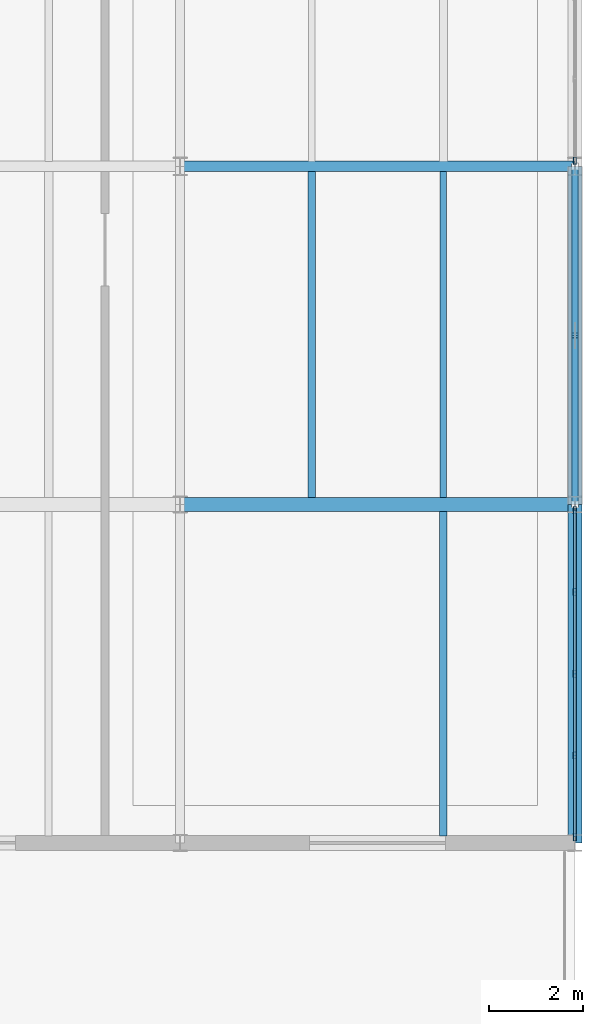
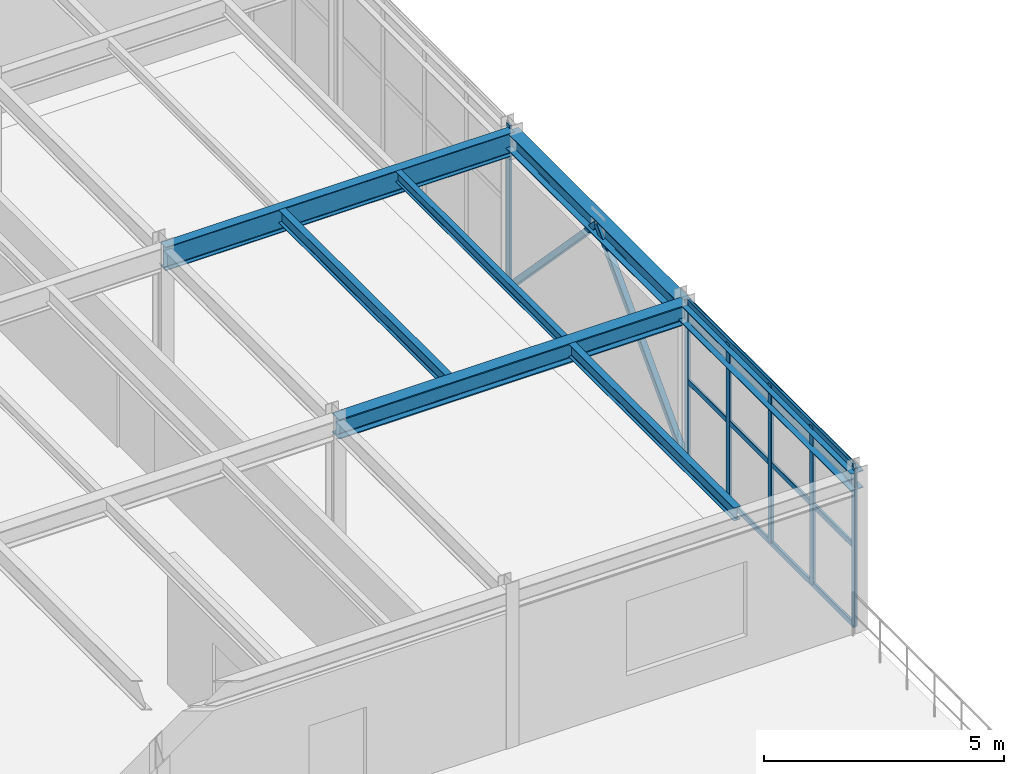
# One storey, part 74 of 134: 11 members, 7 beams, 2 elements without a shape of their own.
"""IFC4 building model written with IfcOpenShell, lengths in metres."""

from ifc_helpers import new_model, si_unit, derived_unit, direction, frame, origin, origin_2d, place, context, subcontext, project, spatial, hollow_rectangle, i_section, extrude, material, material_profile, profile_set, type_object, element, aggregate, save


model = new_model("IFC4")

# Units and contexts
model_context = context("Model", 3, precision=1e-05, world=origin(), true_north=direction((0.0, 1.0)))
body_context = subcontext(model_context, "Body", "Model", "MODEL_VIEW")
ifc_project = project(units=[si_unit("LENGTHUNIT", "METRE"), si_unit("AREAUNIT", "SQUARE_METRE"), si_unit("VOLUMEUNIT", "CUBIC_METRE"), si_unit("PLANEANGLEUNIT", "RADIAN"), si_unit("MASSUNIT", "GRAM", prefix="KILO"), derived_unit("THERMALTRANSMITTANCEUNIT", [(si_unit("MASSUNIT", "GRAM", prefix="KILO"), 1), (si_unit("TIMEUNIT", "SECOND"), -3), (si_unit("THERMODYNAMICTEMPERATUREUNIT", "KELVIN"), -1)])], contexts=[model_context])

# Site, building, storey
site_placement = place(None, origin())
site = spatial("IfcSite", under=ifc_project, at=site_placement, CompositionType="ELEMENT")
building_placement = place(site_placement, origin())
building = spatial("IfcBuilding", under=site, at=building_placement, Name="Kharveza Railside Sports Centre", CompositionType="ELEMENT")
storey_placement = place(building_placement, frame((0.0, 0.0, 12.89990234375)))
storey = spatial("IfcBuildingStorey", under=building, at=storey_placement, Name="L03", CompositionType="ELEMENT", Elevation=12.89990234375)

# Beams
ifc_material_1 = material(Name="Steel S355J2", Category="steel")
ifc_material_profile_1 = material_profile(ifc_material_1, i_section(OverallWidth=0.219970703125, OverallDepth=0.60009765625, WebThickness=0.011962890625, FlangeThickness=0.01904296875, FilletRadius=0.02392578125, at=origin_2d()), Name="IPE 600")
ifc_profile_set_1 = profile_set([ifc_material_profile_1], Name="Steel S355J2")
beam_type_1 = type_object("IfcBeamType", Name="BM-G01", PredefinedType="T_BEAM", material=ifc_profile_set_1)
beam_1_placement = place(storey_placement, frame((159.60009765625, 28.800048828125, 3.66015625), z_axis=(1.0, 0.0, 0.0), x_axis=(0.0, 1.0, 0.0)))
element("IfcBeam", 1, at=beam_1_placement, inside=storey, type_object=beam_type_1, Name="BM-EW-L03-B01-X1596-Y288", PredefinedType="T_BEAM", context=body_context, shape_type="SweptSolid", body=[
    extrude(i_section(OverallWidth=0.219970703125, OverallDepth=0.60009765625, WebThickness=0.011962890625, FlangeThickness=0.01904296875, FilletRadius=0.02392578125, at=origin_2d()), origin(), (0.0, 0.0, 1.0), 8.39990234375),
])
ifc_material_profile_2 = material_profile(ifc_material_1, i_section(OverallWidth=0.300048828125, OverallDepth=0.5, WebThickness=0.014404296875, FlangeThickness=0.028076171875, FilletRadius=0.027099609375, at=origin_2d()), Name="HEB 500")
ifc_profile_set_2 = profile_set([ifc_material_profile_2], Name="Steel S355J2")
beam_type_2 = type_object("IfcBeamType", Name="BM-G05", PredefinedType="T_BEAM", material=ifc_profile_set_2)
beam_2_placement = place(storey_placement, frame((159.60009765625, 21.60009765625, 3.710205078125), z_axis=(1.0, 0.0, 0.0), x_axis=(0.0, 1.0, 0.0)))
element("IfcBeam", 2, at=beam_2_placement, inside=storey, type_object=beam_type_2, Name="BM-EW-L03-B05-X1596-Y216", PredefinedType="T_BEAM", context=body_context, shape_type="SweptSolid", body=[
    extrude(i_section(OverallWidth=0.300048828125, OverallDepth=0.5, WebThickness=0.014404296875, FlangeThickness=0.028076171875, FilletRadius=0.027099609375, at=origin_2d()), origin(), (0.0, 0.0, 1.0), 8.39990234375),
])
ifc_material_profile_3 = material_profile(ifc_material_1, i_section(OverallWidth=0.159912109375, OverallDepth=0.330078125, WebThickness=0.007568359375, FlangeThickness=0.011474609375, FilletRadius=0.01806640625, at=origin_2d()), Name="IPE 330")
ifc_profile_set_3 = profile_set([ifc_material_profile_3], Name="Steel S355J2")
beam_type_3 = type_object("IfcBeamType", Name="BM-S03", PredefinedType="BEAM", material=ifc_profile_set_3)
beam_3_placement = place(storey_placement, frame((165.199951171875, 14.547119140625, 3.795166015625), z_axis=(0.0, 1.0, 0.0), x_axis=(-1.0, 0.0, 0.0)))
element("IfcBeam", 3, at=beam_3_placement, inside=storey, type_object=beam_type_3, Name="BM-SEC-L03-B11-X1652-Y144", PredefinedType="BEAM", context=body_context, shape_type="SweptSolid", body=[
    extrude(i_section(OverallWidth=0.159912109375, OverallDepth=0.330078125, WebThickness=0.007568359375, FlangeThickness=0.011474609375, FilletRadius=0.01806640625, at=origin_2d()), origin(), (0.0, 0.0, 1.0), 6.90576171875),
])
beam_4_placement = place(storey_placement, frame((162.39990234375, 21.7470703125, 3.795166015625), z_axis=(0.0, 1.0, 0.0), x_axis=(-1.0, 0.0, 0.0)))
element("IfcBeam", 4, at=beam_4_placement, inside=storey, type_object=beam_type_3, Name="BM-SEC-L03-B11-X1624-Y216", PredefinedType="BEAM", context=body_context, shape_type="SweptSolid", body=[
    extrude(i_section(OverallWidth=0.159912109375, OverallDepth=0.330078125, WebThickness=0.007568359375, FlangeThickness=0.011474609375, FilletRadius=0.01806640625, at=origin_2d()), origin(), (0.0, 0.0, 1.0), 6.946044921875),
])
ifc_material_profile_4 = material_profile(ifc_material_1, i_section(OverallWidth=0.135009765625, OverallDepth=0.27001953125, WebThickness=0.006591796875, FlangeThickness=0.01025390625, FilletRadius=0.014892578125, at=origin_2d()), Name="IPE 270")
ifc_profile_set_4 = profile_set([ifc_material_profile_4], Name="Steel S355J2")
beam_type_4 = type_object("IfcBeamType", Name="BM-S05", PredefinedType="BEAM", material=ifc_profile_set_4)
beam_5_placement = place(storey_placement, frame((165.199951171875, 21.7470703125, 3.8251953125), z_axis=(0.0, 1.0, 0.0), x_axis=(-1.0, 0.0, 0.0)))
element("IfcBeam", 5, at=beam_5_placement, inside=storey, type_object=beam_type_4, Name="BM-SEC-L03-B13-X1652-Y216", PredefinedType="BEAM", context=body_context, shape_type="SweptSolid", body=[
    extrude(i_section(OverallWidth=0.135009765625, OverallDepth=0.27001953125, WebThickness=0.006591796875, FlangeThickness=0.01025390625, FilletRadius=0.014892578125, at=origin_2d()), origin(), (0.0, 0.0, 1.0), 6.946044921875),
])
ifc_material_profile_5 = material_profile(ifc_material_1, i_section(OverallWidth=0.300048828125, OverallDepth=0.43994140625, WebThickness=0.011474609375, FlangeThickness=0.02099609375, FilletRadius=0.027099609375, at=origin_2d()), Name="HEA 450")
ifc_profile_set_5 = profile_set([ifc_material_profile_5], Name="Steel S355J2")
beam_type_5 = type_object("IfcBeamType", Name="BM-SP01", PredefinedType="SPANDREL", material=ifc_profile_set_5)
beam_6_placement = place(storey_placement, frame((168.0, 14.39990234375, 3.739990234375), z_axis=(0.0, 1.0, 0.0), x_axis=(-1.0, 0.0, 0.0)))
element("IfcBeam", 6, at=beam_6_placement, inside=storey, type_object=beam_type_5, Name="BM-NS-L03-B15-X1680-Y144", PredefinedType="SPANDREL", context=body_context, shape_type="SweptSolid", body=[
    extrude(i_section(OverallWidth=0.300048828125, OverallDepth=0.43994140625, WebThickness=0.011474609375, FlangeThickness=0.02099609375, FilletRadius=0.027099609375, at=origin_2d()), origin(), (0.0, 0.0, 1.0), 7.2001953125),
])
beam_7_placement = place(storey_placement, frame((168.0, 21.60009765625, 3.739990234375), z_axis=(0.0, 1.0, 0.0), x_axis=(-1.0, 0.0, 0.0)))
element("IfcBeam", 7, at=beam_7_placement, inside=storey, type_object=beam_type_5, Name="BM-NS-L03-B15-X1680-Y216", PredefinedType="SPANDREL", context=body_context, shape_type="SweptSolid", body=[
    extrude(i_section(OverallWidth=0.300048828125, OverallDepth=0.43994140625, WebThickness=0.011474609375, FlangeThickness=0.02099609375, FilletRadius=0.027099609375, at=origin_2d()), origin(), (0.0, 0.0, 1.0), 7.199951171875),
])

# Curtain wall, members
ifc_material_2 = material(Name="Low-E solar-control laminated glass", Category="glass")
curtain_wall_type = type_object("IfcCurtainWallType", Name="CW-WG02", PredefinedType="NOTDEFINED", material=ifc_material_2)
curtain_wall_1_placement = place(storey_placement, origin())
curtain_wall_1 = element("IfcCurtainWall", 8, at=curtain_wall_1_placement, inside=storey, type_object=curtain_wall_type, Name="CW-WG-L03-CW-WG02-X1680-Y180", PredefinedType="NOTDEFINED")
ifc_material_3 = material(Name="Anodised aluminium 6063-T6", Category="aluminium")
ifc_material_profile_6 = material_profile(ifc_material_3, hollow_rectangle(XDim=0.06494140625, YDim=0.14990234375, WallThickness=0.0048828125, InnerFilletRadius=0.0048828125, OuterFilletRadius=0.010009765625, at=origin_2d()), Name="RHS 65x150x5.0")
ifc_profile_set_6 = profile_set([ifc_material_profile_6], Name="Anodised aluminium 6063-T6")
member_type_1 = type_object("IfcMemberType", Name="CW-ML04", PredefinedType="MULLION", material=ifc_profile_set_6)
member_1_placement = place(storey_placement, frame((168.0, 14.52001953125, 0.0), z_axis=(0.0, 0.0, 1.0), x_axis=(1.0, 0.0, 0.0)))
member_1 = element("IfcMember", 9, at=member_1_placement, type_object=member_type_1, Name="CW-WG-L03-CW-WG02-X1680-Y180-ML1", PredefinedType="MULLION", context=body_context, shape_type="SweptSolid", body=[
    extrude(hollow_rectangle(XDim=0.06494140625, YDim=0.14990234375, WallThickness=0.0048828125, InnerFilletRadius=0.0048828125, OuterFilletRadius=0.010009765625, at=origin_2d()), origin(), (0.0, 0.0, 1.0), 4.03515625),
])
member_2_placement = place(storey_placement, frame((168.0, 16.260009765625, 0.0), z_axis=(0.0, 0.0, 1.0), x_axis=(1.0, 0.0, 0.0)))
member_2 = element("IfcMember", 10, at=member_2_placement, type_object=member_type_1, Name="CW-WG-L03-CW-WG02-X1680-Y180-ML2", PredefinedType="MULLION", context=body_context, shape_type="SweptSolid", body=[
    extrude(hollow_rectangle(XDim=0.06494140625, YDim=0.14990234375, WallThickness=0.0048828125, InnerFilletRadius=0.0048828125, OuterFilletRadius=0.010009765625, at=origin_2d()), origin(), (0.0, 0.0, 1.0), 4.03515625),
])
member_3_placement = place(storey_placement, frame((168.0, 18.0, 0.0), z_axis=(0.0, 0.0, 1.0), x_axis=(1.0, 0.0, 0.0)))
member_3 = element("IfcMember", 11, at=member_3_placement, type_object=member_type_1, Name="CW-WG-L03-CW-WG02-X1680-Y180-ML3", PredefinedType="MULLION", context=body_context, shape_type="SweptSolid", body=[
    extrude(hollow_rectangle(XDim=0.06494140625, YDim=0.14990234375, WallThickness=0.0048828125, InnerFilletRadius=0.0048828125, OuterFilletRadius=0.010009765625, at=origin_2d()), origin(), (0.0, 0.0, 1.0), 4.03515625),
])
member_4_placement = place(storey_placement, frame((168.0, 19.739990234375, 0.0), z_axis=(0.0, 0.0, 1.0), x_axis=(1.0, 0.0, 0.0)))
member_4 = element("IfcMember", 12, at=member_4_placement, type_object=member_type_1, Name="CW-WG-L03-CW-WG02-X1680-Y180-ML4", PredefinedType="MULLION", context=body_context, shape_type="SweptSolid", body=[
    extrude(hollow_rectangle(XDim=0.06494140625, YDim=0.14990234375, WallThickness=0.0048828125, InnerFilletRadius=0.0048828125, OuterFilletRadius=0.010009765625, at=origin_2d()), origin(), (0.0, 0.0, 1.0), 4.03515625),
])
member_5_placement = place(storey_placement, frame((168.0, 21.47998046875, 0.0), z_axis=(0.0, 0.0, 1.0), x_axis=(1.0, 0.0, 0.0)))
member_5 = element("IfcMember", 13, at=member_5_placement, type_object=member_type_1, Name="CW-WG-L03-CW-WG02-X1680-Y180-ML5", PredefinedType="MULLION", context=body_context, shape_type="SweptSolid", body=[
    extrude(hollow_rectangle(XDim=0.06494140625, YDim=0.14990234375, WallThickness=0.0048828125, InnerFilletRadius=0.0048828125, OuterFilletRadius=0.010009765625, at=origin_2d()), origin(), (0.0, 0.0, 1.0), 4.03515625),
])

# Curtain wall, member
curtain_wall_2_placement = place(storey_placement, origin())
curtain_wall_2 = element("IfcCurtainWall", 14, at=curtain_wall_2_placement, inside=storey, type_object=curtain_wall_type, Name="CW-WG-L03-CW-WG02-X1680-Y324", PredefinedType="NOTDEFINED")
member_6_placement = place(storey_placement, frame((168.0, 28.919921875, 0.0), z_axis=(0.0, 0.0, 1.0), x_axis=(1.0, 0.0, 0.0)))
member_6 = element("IfcMember", 15, at=member_6_placement, type_object=member_type_1, Name="CW-WG-L03-CW-WG02-X1680-Y324-ML1", PredefinedType="MULLION", context=body_context, shape_type="SweptSolid", body=[
    extrude(hollow_rectangle(XDim=0.06494140625, YDim=0.14990234375, WallThickness=0.0048828125, InnerFilletRadius=0.0048828125, OuterFilletRadius=0.010009765625, at=origin_2d()), origin(), (0.0, 0.0, 1.0), 4.03515625),
])
aggregate(curtain_wall_2, [member_6])

# Member
ifc_material_profile_7 = material_profile(ifc_material_3, hollow_rectangle(XDim=0.06005859375, YDim=0.139892578125, WallThickness=0.0048828125, InnerFilletRadius=0.0048828125, OuterFilletRadius=0.010009765625, at=origin_2d()), Name="RHS 60x140x5.0")
ifc_profile_set_7 = profile_set([ifc_material_profile_7], Name="Anodised aluminium 6063-T6")
member_type_2 = type_object("IfcMemberType", Name="CW-TR04", PredefinedType="USERDEFINED", material=ifc_profile_set_7)
member_7_placement = place(storey_placement, frame((168.0, 14.52001953125, 0.0), z_axis=(0.0, 1.0, 0.0), x_axis=(-1.0, 0.0, 0.0)))
member_7 = element("IfcMember", 16, at=member_7_placement, type_object=member_type_2, Name="CW-WG-L03-CW-WG02-X1680-Y180-TR1", ObjectType="TRANSOM", PredefinedType="USERDEFINED", context=body_context, shape_type="SweptSolid", body=[
    extrude(hollow_rectangle(XDim=0.06005859375, YDim=0.139892578125, WallThickness=0.0048828125, InnerFilletRadius=0.0048828125, OuterFilletRadius=0.010009765625, at=origin_2d()), origin(), (0.0, 0.0, 1.0), 6.9599609375),
])

member_8_placement = place(storey_placement, frame((168.0, 14.52001953125, 2.017578125), z_axis=(0.0, 1.0, 0.0), x_axis=(-1.0, 0.0, 0.0)))
member_8 = element("IfcMember", 17, at=member_8_placement, type_object=member_type_2, Name="CW-WG-L03-CW-WG02-X1680-Y180-TR2", ObjectType="TRANSOM", PredefinedType="USERDEFINED", context=body_context, shape_type="SweptSolid", body=[
    extrude(hollow_rectangle(XDim=0.06005859375, YDim=0.139892578125, WallThickness=0.0048828125, InnerFilletRadius=0.0048828125, OuterFilletRadius=0.010009765625, at=origin_2d()), origin(), (0.0, 0.0, 1.0), 6.9599609375),
])

member_9_placement = place(storey_placement, frame((168.0, 14.52001953125, 4.03515625), z_axis=(0.0, 1.0, 0.0), x_axis=(-1.0, 0.0, 0.0)))
member_9 = element("IfcMember", 18, at=member_9_placement, type_object=member_type_2, Name="CW-WG-L03-CW-WG02-X1680-Y180-TR3", ObjectType="TRANSOM", PredefinedType="USERDEFINED", context=body_context, shape_type="SweptSolid", body=[
    extrude(hollow_rectangle(XDim=0.06005859375, YDim=0.139892578125, WallThickness=0.0048828125, InnerFilletRadius=0.0048828125, OuterFilletRadius=0.010009765625, at=origin_2d()), origin(), (0.0, 0.0, 1.0), 6.9599609375),
])

aggregate(curtain_wall_1, [member_1, member_2, member_3, member_4, member_5, member_7, member_8, member_9])

# Members
ifc_material_profile_8 = material_profile(ifc_material_1, hollow_rectangle(XDim=0.14990234375, YDim=0.14990234375, WallThickness=0.008056640625, InnerFilletRadius=0.008056640625, OuterFilletRadius=0.01611328125, at=origin_2d()), Name="SHS 150x150x8.0")
ifc_profile_set_8 = profile_set([ifc_material_profile_8], Name="Steel S355J2")
member_type_3 = type_object("IfcMemberType", Name="MB-BR02", PredefinedType="BRACE", material=ifc_profile_set_8)
member_10_placement = place(storey_placement, frame((168.0, 21.60009765625, 0.0), z_axis=(0.0, 0.692517163318, 0.721401399021), x_axis=(-1.0, 0.0, 0.0)))
element("IfcMember", 19, at=member_10_placement, inside=storey, type_object=member_type_3, Name="MB-CHEV-NS-017A", PredefinedType="BRACE", context=body_context, shape_type="SweptSolid", body=[
    extrude(hollow_rectangle(XDim=0.14990234375, YDim=0.14990234375, WallThickness=0.008056640625, InnerFilletRadius=0.008056640625, OuterFilletRadius=0.01611328125, at=origin_2d()), origin(), (0.0, 0.0, 1.0), 5.1982421875),
])
member_11_placement = place(storey_placement, frame((168.0, 28.800048828125, 0.0), z_axis=(0.0, -0.692541604294, 0.721377935844), x_axis=(1.0, 0.0, 0.0)))
element("IfcMember", 20, at=member_11_placement, inside=storey, type_object=member_type_3, Name="MB-CHEV-NS-017B", PredefinedType="BRACE", context=body_context, shape_type="SweptSolid", body=[
    extrude(hollow_rectangle(XDim=0.14990234375, YDim=0.14990234375, WallThickness=0.008056640625, InnerFilletRadius=0.008056640625, OuterFilletRadius=0.01611328125, at=origin_2d()), origin(), (0.0, 0.0, 1.0), 5.198486328125),
])

save(model, "model.ifc")
